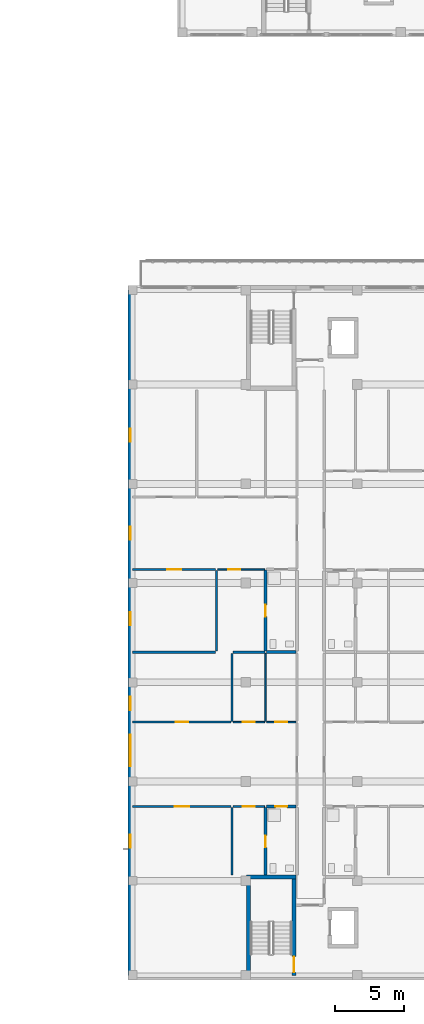
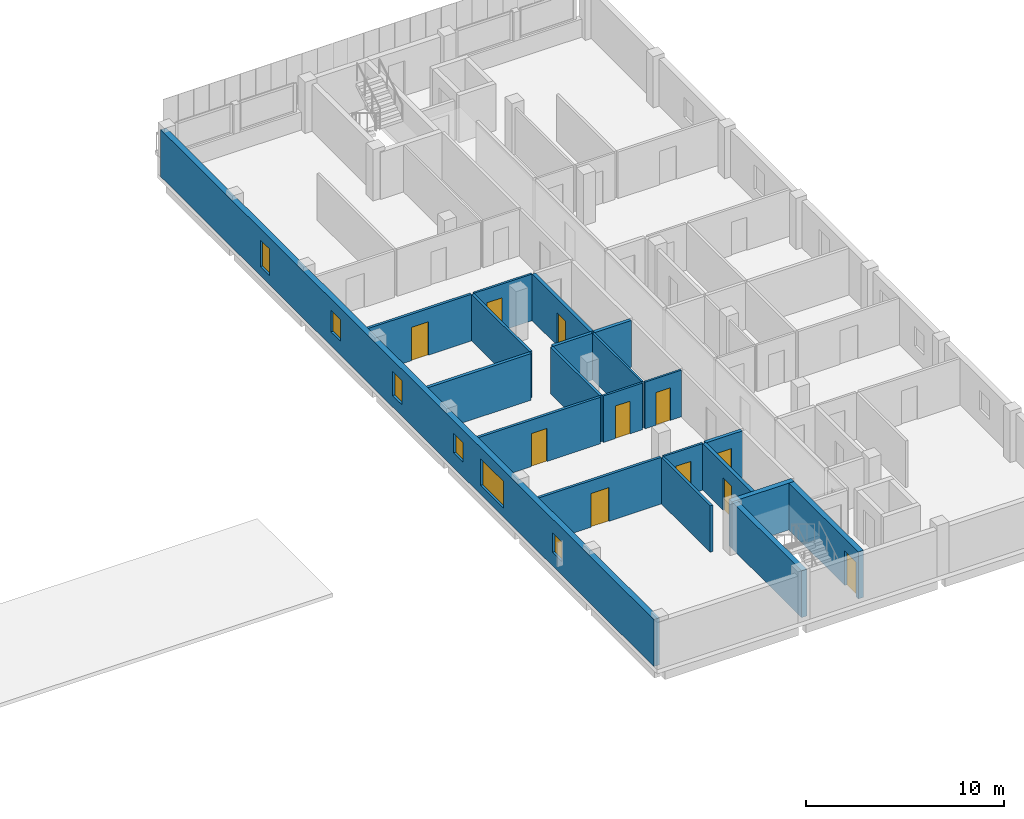
# One storey, part 30 of 51: 21 walls, 11 doors, 6 windows, 17 openings.
"""IFC4 building model written with IfcOpenShell, lengths in metres."""

from ifc_helpers import new_model, si_unit, derived_unit, direction, frame, frame_2d, origin, place, context, subcontext, project, spatial, rectangle, extrude, material, layer, layer_set, type_object, element, fill, save


model = new_model("IFC4")

# Units and contexts
model_context = context("Model", 3, precision=1e-05, world=origin(), true_north=direction((0.0, 1.0)))
body_context = subcontext(model_context, "Body", "Model", "MODEL_VIEW")
ifc_project = project(units=[si_unit("LENGTHUNIT", "METRE"), si_unit("AREAUNIT", "SQUARE_METRE"), si_unit("VOLUMEUNIT", "CUBIC_METRE"), si_unit("PLANEANGLEUNIT", "RADIAN"), si_unit("MASSUNIT", "GRAM", prefix="KILO"), derived_unit("THERMALTRANSMITTANCEUNIT", [(si_unit("MASSUNIT", "GRAM", prefix="KILO"), 1), (si_unit("TIMEUNIT", "SECOND"), -3), (si_unit("THERMODYNAMICTEMPERATUREUNIT", "KELVIN"), -1)])], contexts=[model_context])

# Site, building, storey
site_placement = place(None, origin())
site = spatial("IfcSite", under=ifc_project, at=site_placement, CompositionType="ELEMENT")
building_placement = place(site_placement, origin())
building = spatial("IfcBuilding", under=site, at=building_placement, Name="Ochrekiln Boulevard Commons", CompositionType="ELEMENT")
storey_placement = place(building_placement, frame((0.0, 0.0, 15.22509765625)))
storey = spatial("IfcBuildingStorey", under=building, at=storey_placement, Name="L04", CompositionType="ELEMENT", Elevation=15.22509765625)

# Wall, openings, windows
ifc_material_1 = material(Name="Desert ochre clinker brick masonry ASTM C216 Grade SW", Category="masonry")
ifc_layer_1 = layer(ifc_material_1, 0.330078125)
ifc_layer_set_1 = layer_set([ifc_layer_1], Name="Desert ochre clinker brick masonry ASTM C216 Grade SW")
wall_type_1 = type_object("IfcWallType", Name="WL-EXT-OCHRE-330", PredefinedType="SOLIDWALL", material=ifc_layer_set_1)
wall_1_placement = place(storey_placement, frame((147.764892578125, 0.330078125, 0.0), z_axis=(0.0, 0.0, 1.0), x_axis=(0.0, 1.0, 0.0)))
wall_1 = element("IfcWall", 1, at=wall_1_placement, inside=storey, type_object=wall_type_1, Name="Block C L04 W Exterior Wall", PredefinedType="SOLIDWALL", context=body_context, shape_type="SweptSolid", body=[
    extrude(rectangle(XDim=49.739990234375, YDim=0.330078125, at=frame_2d((24.8701171875, 0.0))), origin(), (0.0, 0.0, 1.0), 2.889892578125),
])
opening_1_placement = place(wall_1_placement, frame((15.169921875, 0.0, 0.554931640625)))
opening_1 = element("IfcOpeningElement", 2, at=opening_1_placement, cuts=wall_1, Name="Opening W-59", PredefinedType="OPENING", context=body_context, shape_type="SweptSolid", body=[
    extrude(rectangle(XDim=2.300048828125, YDim=1.64990234375, at=frame_2d((1.14990234375, 0.824951171875))), frame((0.0, 0.175048828125, 0.0), z_axis=(0.0, -1.0, 0.0), x_axis=(1.0, 0.0, 0.0)), (0.0, 0.0, 1.0), 0.35009765625),
])
opening_2_placement = place(wall_1_placement, frame((9.2509765625, 0.0, 0.85009765625)))
opening_2 = element("IfcOpeningElement", 3, at=opening_2_placement, cuts=wall_1, Name="Opening W-01", PredefinedType="OPENING", context=body_context, shape_type="SweptSolid", body=[
    extrude(rectangle(XDim=0.949951171875, YDim=1.199951171875, at=frame_2d((0.47509765625, 0.60009765625))), frame((0.0, 0.175048828125, 0.0), z_axis=(0.0, -1.0, 0.0), x_axis=(1.0, 0.0, 0.0)), (0.0, 0.0, 1.0), 0.35009765625),
])
opening_3_placement = place(wall_1_placement, frame((19.2548828125, 0.0, 0.89990234375)))
opening_3 = element("IfcOpeningElement", 4, at=opening_3_placement, cuts=wall_1, Name="Opening W-01", PredefinedType="OPENING", context=body_context, shape_type="SweptSolid", body=[
    extrude(rectangle(XDim=0.949951171875, YDim=1.199951171875, at=frame_2d((0.47509765625, 0.60009765625))), frame((0.0, 0.175048828125, 0.0), z_axis=(0.0, -1.0, 0.0), x_axis=(1.0, 0.0, 0.0)), (0.0, 0.0, 1.0), 0.35009765625),
])
opening_4_placement = place(wall_1_placement, frame((31.615966796875, 0.0, 0.85498046875)))
opening_4 = element("IfcOpeningElement", 5, at=opening_4_placement, cuts=wall_1, Name="Opening W-02", PredefinedType="OPENING", context=body_context, shape_type="SweptSolid", body=[
    extrude(rectangle(XDim=0.949951171875, YDim=1.35009765625, at=frame_2d((0.47509765625, 0.675048828125))), frame((0.0, 0.175048828125, 0.0), z_axis=(0.0, -1.0, 0.0), x_axis=(1.0, 0.0, 0.0)), (0.0, 0.0, 1.0), 0.35009765625),
])
opening_5_placement = place(wall_1_placement, frame((25.40087890625, 0.0, 0.705078125)))
opening_5 = element("IfcOpeningElement", 6, at=opening_5_placement, cuts=wall_1, Name="Opening W-03", PredefinedType="OPENING", context=body_context, shape_type="SweptSolid", body=[
    extrude(rectangle(XDim=0.949951171875, YDim=1.5, at=frame_2d((0.47509765625, 0.75))), frame((0.0, 0.175048828125, 0.0), z_axis=(0.0, -1.0, 0.0), x_axis=(1.0, 0.0, 0.0)), (0.0, 0.0, 1.0), 0.35009765625),
])
opening_6_placement = place(wall_1_placement, frame((38.72998046875, 0.0, 0.554931640625)))
opening_6 = element("IfcOpeningElement", 7, at=opening_6_placement, cuts=wall_1, Name="Opening W-04", PredefinedType="OPENING", context=body_context, shape_type="SweptSolid", body=[
    extrude(rectangle(XDim=0.949951171875, YDim=1.64990234375, at=frame_2d((0.47509765625, 0.824951171875))), frame((0.0, 0.175048828125, 0.0), z_axis=(0.0, -1.0, 0.0), x_axis=(1.0, 0.0, 0.0)), (0.0, 0.0, 1.0), 0.35009765625),
])
ifc_material_2 = material(Name="Thermally broken aluminium-clad oak frame", Category="aluminium")
window_type_1 = type_object("IfcWindowType", Name="WIN-EXT-01", PartitioningType="SINGLE_PANEL", PredefinedType="WINDOW", material=ifc_material_2)
window_1_placement = place(opening_2_placement, origin())
window_1 = element("IfcWindow", 8, at=window_1_placement, inside=storey, type_object=window_type_1, Name="Block C L04 Punched Masonry Window W-01", OverallHeight=1.199951171875, OverallWidth=0.949951171875, PartitioningType="SINGLE_PANEL", PredefinedType="WINDOW", context=body_context, shape_type="SweptSolid", body=[
    extrude(rectangle(XDim=0.949951171875, YDim=1.199951171875, at=frame_2d((0.47509765625, 0.60009765625))), frame((0.0, 0.030029296875, 0.0), z_axis=(0.0, -1.0, 0.0), x_axis=(1.0, 0.0, 0.0)), (0.0, 0.0, 1.0), 0.06005859375),
])
fill(opening_2, window_1)
window_2_placement = place(opening_3_placement, origin())
window_2 = element("IfcWindow", 9, at=window_2_placement, inside=storey, type_object=window_type_1, Name="Block C L04 Punched Masonry Window W-01", OverallHeight=1.199951171875, OverallWidth=0.949951171875, PartitioningType="SINGLE_PANEL", PredefinedType="WINDOW", context=body_context, shape_type="SweptSolid", body=[
    extrude(rectangle(XDim=0.949951171875, YDim=1.199951171875, at=frame_2d((0.47509765625, 0.60009765625))), frame((0.0, 0.030029296875, 0.0), z_axis=(0.0, -1.0, 0.0), x_axis=(1.0, 0.0, 0.0)), (0.0, 0.0, 1.0), 0.06005859375),
])
fill(opening_3, window_2)
window_type_2 = type_object("IfcWindowType", Name="WIN-EXT-02", PartitioningType="SINGLE_PANEL", PredefinedType="WINDOW", material=ifc_material_2)
window_3_placement = place(opening_4_placement, origin())
window_3 = element("IfcWindow", 10, at=window_3_placement, inside=storey, type_object=window_type_2, Name="Block C L04 Punched Masonry Window W-02", OverallHeight=1.35009765625, OverallWidth=0.949951171875, PartitioningType="SINGLE_PANEL", PredefinedType="WINDOW", context=body_context, shape_type="SweptSolid", body=[
    extrude(rectangle(XDim=0.949951171875, YDim=1.35009765625, at=frame_2d((0.47509765625, 0.675048828125))), frame((0.0, 0.030029296875, 0.0), z_axis=(0.0, -1.0, 0.0), x_axis=(1.0, 0.0, 0.0)), (0.0, 0.0, 1.0), 0.06005859375),
])
fill(opening_4, window_3)
window_type_3 = type_object("IfcWindowType", Name="WIN-EXT-03", PartitioningType="SINGLE_PANEL", PredefinedType="WINDOW", material=ifc_material_2)
window_4_placement = place(opening_5_placement, origin())
window_4 = element("IfcWindow", 11, at=window_4_placement, inside=storey, type_object=window_type_3, Name="Block C L04 Punched Masonry Window W-03", OverallHeight=1.5, OverallWidth=0.949951171875, PartitioningType="SINGLE_PANEL", PredefinedType="WINDOW", context=body_context, shape_type="SweptSolid", body=[
    extrude(rectangle(XDim=0.949951171875, YDim=1.5, at=frame_2d((0.47509765625, 0.75))), frame((0.0, 0.030029296875, 0.0), z_axis=(0.0, -1.0, 0.0), x_axis=(1.0, 0.0, 0.0)), (0.0, 0.0, 1.0), 0.06005859375),
])
fill(opening_5, window_4)
window_type_4 = type_object("IfcWindowType", Name="WIN-EXT-04", PartitioningType="SINGLE_PANEL", PredefinedType="WINDOW", material=ifc_material_2)
window_5_placement = place(opening_6_placement, origin())
window_5 = element("IfcWindow", 12, at=window_5_placement, inside=storey, type_object=window_type_4, Name="Block C L04 Punched Masonry Window W-04", OverallHeight=1.64990234375, OverallWidth=0.949951171875, PartitioningType="SINGLE_PANEL", PredefinedType="WINDOW", context=body_context, shape_type="SweptSolid", body=[
    extrude(rectangle(XDim=0.949951171875, YDim=1.64990234375, at=frame_2d((0.47509765625, 0.824951171875))), frame((0.0, 0.030029296875, 0.0), z_axis=(0.0, -1.0, 0.0), x_axis=(1.0, 0.0, 0.0)), (0.0, 0.0, 1.0), 0.06005859375),
])
fill(opening_6, window_5)
window_type_5 = type_object("IfcWindowType", Name="WIN-EXT-59", PartitioningType="DOUBLE_PANEL_VERTICAL", PredefinedType="WINDOW", material=ifc_material_2)
window_6_placement = place(opening_1_placement, origin())
window_6 = element("IfcWindow", 13, at=window_6_placement, inside=storey, type_object=window_type_5, Name="Block C L04 Punched Masonry Window W-59", OverallHeight=1.64990234375, OverallWidth=2.300048828125, PartitioningType="DOUBLE_PANEL_VERTICAL", PredefinedType="WINDOW", context=body_context, shape_type="SweptSolid", body=[
    extrude(rectangle(XDim=2.300048828125, YDim=1.64990234375, at=frame_2d((1.14990234375, 0.824951171875))), frame((0.0, 0.030029296875, 0.0), z_axis=(0.0, -1.0, 0.0), x_axis=(1.0, 0.0, 0.0)), (0.0, 0.0, 1.0), 0.06005859375),
])
fill(opening_1, window_6)

# Wall, opening, door
ifc_material_3 = material(Name="Moisture-resistant cementitious tile backer wall")
ifc_layer_2 = layer(ifc_material_3, 0.199951171875)
ifc_layer_set_2 = layer_set([ifc_layer_2], Name="Moisture-resistant cementitious tile backer wall")
wall_type_2 = type_object("IfcWallType", Name="WL-PLM-200", PredefinedType="PLUMBINGWALL", material=ifc_layer_set_2)
wall_2_placement = place(storey_placement, frame((157.669921875, 12.592041015625, 0.0), z_axis=(0.0, 0.0, 1.0), x_axis=(1.0, 0.0, 0.0)))
wall_2 = element("IfcWall", 14, at=wall_2_placement, inside=storey, type_object=wall_type_2, Name="L04 Interior Wall W-PW200", PredefinedType="PLUMBINGWALL", context=body_context, shape_type="SweptSolid", body=[
    extrude(rectangle(XDim=2.108154296875, YDim=0.199951171875, at=frame_2d((1.05419921875, 0.0))), origin(), (0.0, 0.0, 1.0), 2.869873046875),
])
opening_7_placement = place(wall_2_placement, frame((0.6201171875, 0.0, 0.0)))
opening_7 = element("IfcOpeningElement", 15, at=opening_7_placement, cuts=wall_2, Name="Opening D-L04-620", PredefinedType="OPENING", context=body_context, shape_type="SweptSolid", body=[
    extrude(rectangle(XDim=0.860107421875, YDim=2.0, at=frame_2d((0.43017578125, 1.0))), frame((0.0, 0.10986328125, 0.0), z_axis=(0.0, -1.0, 0.0), x_axis=(1.0, 0.0, 0.0)), (0.0, 0.0, 1.0), 0.219970703125),
])
ifc_material_4 = material(Name="Solid core architectural oak door leaf")
door_type_1 = type_object("IfcDoorType", Name="DR-INT-BTH-086", OperationType="NOTDEFINED", PredefinedType="DOOR", material=ifc_material_4)
door_1_placement = place(opening_7_placement, frame((0.860107421875, 0.0, 0.0), z_axis=(0.0, 0.0, 1.0), x_axis=(-1.0, 0.0, 0.0)))
door_1 = element("IfcDoor", 16, at=door_1_placement, inside=storey, type_object=door_type_1, Name="L04 Interior Door to Accessible Apartment Bathroom", OperationType="SINGLE_SWING_RIGHT", OverallHeight=2.0, OverallWidth=0.860107421875, PredefinedType="DOOR", context=body_context, shape_type="SweptSolid", body=[
    extrude(rectangle(XDim=0.860107421875, YDim=2.0, at=frame_2d((0.43017578125, 1.0))), frame((0.0, 0.02490234375, 0.0), z_axis=(0.0, -1.0, 0.0), x_axis=(1.0, 0.0, 0.0)), (0.0, 0.0, 1.0), 0.050048828125),
])
fill(opening_7, door_1)

wall_3_placement = place(storey_placement, frame((157.590087890625, 7.60009765625, 0.0), z_axis=(0.0, 0.0, 1.0), x_axis=(0.0, 1.0, 0.0)))
wall_3 = element("IfcWall", 17, at=wall_3_placement, inside=storey, type_object=wall_type_2, Name="L04 Interior Wall W-PW200", PredefinedType="PLUMBINGWALL", context=body_context, shape_type="SweptSolid", body=[
    extrude(rectangle(XDim=4.931884765625, YDim=0.199951171875, at=frame_2d((2.4658203125, 0.0))), origin(), (0.0, 0.0, 1.0), 2.869873046875),
])
opening_8_placement = place(wall_3_placement, frame((2.031005859375, 0.0, 0.0)))
opening_8 = element("IfcOpeningElement", 18, at=opening_8_placement, cuts=wall_3, Name="Opening D-L04-626", PredefinedType="OPENING", context=body_context, shape_type="SweptSolid", body=[
    extrude(rectangle(XDim=0.85009765625, YDim=2.010009765625, at=frame_2d((0.425048828125, 1.0048828125))), frame((0.0, 0.10986328125, 0.0), z_axis=(0.0, -1.0, 0.0), x_axis=(1.0, 0.0, 0.0)), (0.0, 0.0, 1.0), 0.219970703125),
])
door_type_2 = type_object("IfcDoorType", Name="DR-INT-KIT-085", OperationType="NOTDEFINED", PredefinedType="DOOR", material=ifc_material_4)
door_2_placement = place(opening_8_placement, frame((0.85009765625, 0.0, 0.0), z_axis=(0.0, 0.0, 1.0), x_axis=(-1.0, 0.0, 0.0)))
door_2 = element("IfcDoor", 19, at=door_2_placement, inside=storey, type_object=door_type_2, Name="L04 Interior Door to Accessible Apartment Bathroom", OperationType="SINGLE_SWING_RIGHT", OverallHeight=2.010009765625, OverallWidth=0.85009765625, PredefinedType="DOOR", context=body_context, shape_type="SweptSolid", body=[
    extrude(rectangle(XDim=0.85009765625, YDim=2.010009765625, at=frame_2d((0.425048828125, 1.0048828125))), frame((0.0, 0.02490234375, 0.0), z_axis=(0.0, -1.0, 0.0), x_axis=(1.0, 0.0, 0.0)), (0.0, 0.0, 1.0), 0.050048828125),
])
fill(opening_8, door_2)

# Wall
wall_4_placement = place(storey_placement, frame((157.64990234375, 23.7919921875, 0.0), z_axis=(0.0, 0.0, 1.0), x_axis=(1.0, 0.0, 0.0)))
element("IfcWall", 20, at=wall_4_placement, inside=storey, type_object=wall_type_2, Name="L04 Interior Wall W-PW200", PredefinedType="PLUMBINGWALL", context=body_context, shape_type="SweptSolid", body=[
    extrude(rectangle(XDim=2.128173828125, YDim=0.199951171875, at=frame_2d((1.06396484375, 0.0))), origin(), (0.0, 0.0, 1.0), 2.869873046875),
])

# Wall, opening, door
wall_5_placement = place(storey_placement, frame((157.590087890625, 23.882080078125, 0.0), z_axis=(0.0, 0.0, 1.0), x_axis=(0.0, 1.0, 0.0)))
wall_5 = element("IfcWall", 21, at=wall_5_placement, inside=storey, type_object=wall_type_2, Name="L04 Interior Wall W-PW200", PredefinedType="PLUMBINGWALL", context=body_context, shape_type="SweptSolid", body=[
    extrude(rectangle(XDim=5.849853515625, YDim=0.199951171875, at=frame_2d((2.9248046875, 0.0))), origin(), (0.0, 0.0, 1.0), 2.869873046875),
])
opening_9_placement = place(wall_5_placement, frame((2.489990234375, 0.0, 0.0)))
opening_9 = element("IfcOpeningElement", 22, at=opening_9_placement, cuts=wall_5, Name="Opening D-L04-633", PredefinedType="OPENING", context=body_context, shape_type="SweptSolid", body=[
    extrude(rectangle(XDim=0.85009765625, YDim=2.010009765625, at=frame_2d((0.425048828125, 1.0048828125))), frame((0.0, 0.10986328125, 0.0), z_axis=(0.0, -1.0, 0.0), x_axis=(1.0, 0.0, 0.0)), (0.0, 0.0, 1.0), 0.219970703125),
])
door_3_placement = place(opening_9_placement, frame((0.85009765625, 0.0, 0.0), z_axis=(0.0, 0.0, 1.0), x_axis=(-1.0, 0.0, 0.0)))
door_3 = element("IfcDoor", 23, at=door_3_placement, inside=storey, type_object=door_type_2, Name="L04 Interior Door to Apartment Bathroom", OperationType="SINGLE_SWING_LEFT", OverallHeight=2.010009765625, OverallWidth=0.85009765625, PredefinedType="DOOR", context=body_context, shape_type="SweptSolid", body=[
    extrude(rectangle(XDim=0.85009765625, YDim=2.010009765625, at=frame_2d((0.425048828125, 1.0048828125))), frame((0.0, 0.02490234375, 0.0), z_axis=(0.0, -1.0, 0.0), x_axis=(1.0, 0.0, 0.0)), (0.0, 0.0, 1.0), 0.050048828125),
])
fill(opening_9, door_3)

# Walls
ifc_material_5 = material(Name="Fire-rated Type X gypsum board on steel studs", Category="steel")
ifc_layer_3 = layer(ifc_material_5, 0.179931640625)
ifc_layer_set_3 = layer_set([ifc_layer_3], Name="Fire-rated Type X gypsum board on steel studs")
wall_type_3 = type_object("IfcWallType", Name="WL-PT-DEM-180", PredefinedType="PARTITIONING", material=ifc_layer_set_3)
wall_6_placement = place(storey_placement, frame((147.929931640625, 23.7919921875, 0.0), z_axis=(0.0, 0.0, 1.0), x_axis=(1.0, 0.0, 0.0)))
element("IfcWall", 24, at=wall_6_placement, inside=storey, type_object=wall_type_3, Name="L04 Interior Wall W-PD180", PredefinedType="PARTITIONING", context=body_context, shape_type="SweptSolid", body=[
    extrude(rectangle(XDim=6.02294921875, YDim=0.179931640625, at=frame_2d((3.011474609375, 0.0))), origin(), (0.0, 0.0, 1.0), 2.869873046875),
])
wall_7_placement = place(storey_placement, frame((155.22998046875, 23.7919921875, 0.0), z_axis=(0.0, 0.0, 1.0), x_axis=(1.0, 0.0, 0.0)))
element("IfcWall", 25, at=wall_7_placement, inside=storey, type_object=wall_type_3, Name="L04 Interior Wall W-PD180", PredefinedType="PARTITIONING", context=body_context, shape_type="SweptSolid", body=[
    extrude(rectangle(XDim=2.300048828125, YDim=0.179931640625, at=frame_2d((1.14990234375, 0.0))), origin(), (0.0, 0.0, 1.0), 2.869873046875),
])

# Wall, opening, door
ifc_layer_4 = layer(ifc_material_5, 0.1201171875)
ifc_layer_set_4 = layer_set([ifc_layer_4], Name="Fire-rated Type X gypsum board on steel studs")
wall_type_4 = type_object("IfcWallType", Name="WL-PT-LGT-120", PredefinedType="PARTITIONING", material=ifc_layer_set_4)
wall_8_placement = place(storey_placement, frame((157.669921875, 18.7099609375, 0.0), z_axis=(0.0, 0.0, 1.0), x_axis=(1.0, 0.0, 0.0)))
wall_8 = element("IfcWall", 26, at=wall_8_placement, inside=storey, type_object=wall_type_4, Name="L04 Interior Wall W-PL120", PredefinedType="PARTITIONING", context=body_context, shape_type="SweptSolid", body=[
    extrude(rectangle(XDim=2.108154296875, YDim=0.1201171875, at=frame_2d((1.05419921875, 0.0))), origin(), (0.0, 0.0, 1.0), 2.869873046875),
])
opening_10_placement = place(wall_8_placement, frame((0.625, 0.0, 0.0)))
opening_10 = element("IfcOpeningElement", 27, at=opening_10_placement, cuts=wall_8, Name="Opening D-L04-621", PredefinedType="OPENING", context=body_context, shape_type="SweptSolid", body=[
    extrude(rectangle(XDim=0.85009765625, YDim=2.010009765625, at=frame_2d((0.425048828125, 1.0048828125))), frame((0.0, 0.070068359375, 0.0), z_axis=(0.0, -1.0, 0.0), x_axis=(1.0, 0.0, 0.0)), (0.0, 0.0, 1.0), 0.14013671875),
])
door_4_placement = place(opening_10_placement, origin())
door_4 = element("IfcDoor", 28, at=door_4_placement, inside=storey, type_object=door_type_2, Name="L04 Interior Door to Apartment Kitchen", OperationType="SINGLE_SWING_LEFT", OverallHeight=2.010009765625, OverallWidth=0.85009765625, PredefinedType="DOOR", context=body_context, shape_type="SweptSolid", body=[
    extrude(rectangle(XDim=0.85009765625, YDim=2.010009765625, at=frame_2d((0.425048828125, 1.0048828125))), frame((0.0, 0.02490234375, 0.0), z_axis=(0.0, -1.0, 0.0), x_axis=(1.0, 0.0, 0.0)), (0.0, 0.0, 1.0), 0.050048828125),
])
fill(opening_10, door_4)

wall_9_placement = place(storey_placement, frame((155.235107421875, 12.592041015625, 0.0), z_axis=(0.0, 0.0, 1.0), x_axis=(1.0, 0.0, 0.0)))
wall_9 = element("IfcWall", 29, at=wall_9_placement, inside=storey, type_object=wall_type_4, Name="L04 Interior Wall W-PL120", PredefinedType="PARTITIONING", context=body_context, shape_type="SweptSolid", body=[
    extrude(rectangle(XDim=2.27490234375, YDim=0.1201171875, at=frame_2d((1.137451171875, 0.0))), origin(), (0.0, 0.0, 1.0), 2.869873046875),
])
opening_11_placement = place(wall_9_placement, frame((0.7119140625, 0.0, 0.0)))
opening_11 = element("IfcOpeningElement", 30, at=opening_11_placement, cuts=wall_9, Name="Opening D-L04-623", PredefinedType="OPENING", context=body_context, shape_type="SweptSolid", body=[
    extrude(rectangle(XDim=0.85009765625, YDim=2.010009765625, at=frame_2d((0.425048828125, 1.0048828125))), frame((0.0, 0.070068359375, 0.0), z_axis=(0.0, -1.0, 0.0), x_axis=(1.0, 0.0, 0.0)), (0.0, 0.0, 1.0), 0.14013671875),
])
door_5_placement = place(opening_11_placement, frame((0.85009765625, 0.0, 0.0), z_axis=(0.0, 0.0, 1.0), x_axis=(-1.0, 0.0, 0.0)))
door_5 = element("IfcDoor", 31, at=door_5_placement, inside=storey, type_object=door_type_2, Name="L04 Interior Door to Apartment Walk-In Wardrobe", OperationType="SINGLE_SWING_LEFT", OverallHeight=2.010009765625, OverallWidth=0.85009765625, PredefinedType="DOOR", context=body_context, shape_type="SweptSolid", body=[
    extrude(rectangle(XDim=0.85009765625, YDim=2.010009765625, at=frame_2d((0.425048828125, 1.0048828125))), frame((0.0, 0.02490234375, 0.0), z_axis=(0.0, -1.0, 0.0), x_axis=(1.0, 0.0, 0.0)), (0.0, 0.0, 1.0), 0.050048828125),
])
fill(opening_11, door_5)

wall_10_placement = place(storey_placement, frame((155.235107421875, 18.7099609375, 0.0), z_axis=(0.0, 0.0, 1.0), x_axis=(1.0, 0.0, 0.0)))
wall_10 = element("IfcWall", 32, at=wall_10_placement, inside=storey, type_object=wall_type_4, Name="L04 Interior Wall W-PL120", PredefinedType="PARTITIONING", context=body_context, shape_type="SweptSolid", body=[
    extrude(rectangle(XDim=2.27490234375, YDim=0.1201171875, at=frame_2d((1.137451171875, 0.0))), origin(), (0.0, 0.0, 1.0), 2.869873046875),
])
opening_12_placement = place(wall_10_placement, frame((0.7119140625, 0.0, 0.0)))
opening_12 = element("IfcOpeningElement", 33, at=opening_12_placement, cuts=wall_10, Name="Opening D-L04-625", PredefinedType="OPENING", context=body_context, shape_type="SweptSolid", body=[
    extrude(rectangle(XDim=0.85009765625, YDim=2.010009765625, at=frame_2d((0.425048828125, 1.0048828125))), frame((0.0, 0.070068359375, 0.0), z_axis=(0.0, -1.0, 0.0), x_axis=(1.0, 0.0, 0.0)), (0.0, 0.0, 1.0), 0.14013671875),
])
door_6_placement = place(opening_12_placement, origin())
door_6 = element("IfcDoor", 34, at=door_6_placement, inside=storey, type_object=door_type_2, Name="L04 Interior Door to Apartment Walk-In Wardrobe", OperationType="SINGLE_SWING_LEFT", OverallHeight=2.010009765625, OverallWidth=0.85009765625, PredefinedType="DOOR", context=body_context, shape_type="SweptSolid", body=[
    extrude(rectangle(XDim=0.85009765625, YDim=2.010009765625, at=frame_2d((0.425048828125, 1.0048828125))), frame((0.0, 0.02490234375, 0.0), z_axis=(0.0, -1.0, 0.0), x_axis=(1.0, 0.0, 0.0)), (0.0, 0.0, 1.0), 0.050048828125),
])
fill(opening_12, door_6)

# Wall
wall_11_placement = place(storey_placement, frame((157.590087890625, 18.77001953125, 0.0), z_axis=(0.0, 0.0, 1.0), x_axis=(0.0, 1.0, 0.0)))
element("IfcWall", 35, at=wall_11_placement, inside=storey, type_object=wall_type_4, Name="L04 Interior Wall W-PL120", PredefinedType="PARTITIONING", context=body_context, shape_type="SweptSolid", body=[
    extrude(rectangle(XDim=4.931884765625, YDim=0.1201171875, at=frame_2d((2.4658203125, 0.0))), origin(), (0.0, 0.0, 1.0), 2.869873046875),
])

# Wall, opening, door
wall_12_placement = place(storey_placement, frame((154.113037109375, 29.7919921875, 0.0), z_axis=(0.0, 0.0, 1.0), x_axis=(1.0, 0.0, 0.0)))
wall_12 = element("IfcWall", 36, at=wall_12_placement, inside=storey, type_object=wall_type_4, Name="L04 Interior Wall W-PL120", PredefinedType="PARTITIONING", context=body_context, shape_type="SweptSolid", body=[
    extrude(rectangle(XDim=3.39697265625, YDim=0.1201171875, at=frame_2d((1.698486328125, 0.0))), origin(), (0.0, 0.0, 1.0), 2.869873046875),
])
opening_13_placement = place(wall_12_placement, frame((0.758056640625, 0.0, 0.0)))
opening_13 = element("IfcOpeningElement", 37, at=opening_13_placement, cuts=wall_12, Name="Opening D-L04-630", PredefinedType="OPENING", context=body_context, shape_type="SweptSolid", body=[
    extrude(rectangle(XDim=0.8798828125, YDim=2.02001953125, at=frame_2d((0.43994140625, 1.010009765625))), frame((0.0, 0.070068359375, 0.0), z_axis=(0.0, -1.0, 0.0), x_axis=(1.0, 0.0, 0.0)), (0.0, 0.0, 1.0), 0.14013671875),
])
door_type_3 = type_object("IfcDoorType", Name="DR-INT-KIT-088", OperationType="NOTDEFINED", PredefinedType="DOOR", material=ifc_material_4)
door_7_placement = place(opening_13_placement, frame((0.8798828125, 0.0, 0.0), z_axis=(0.0, 0.0, 1.0), x_axis=(-1.0, 0.0, 0.0)))
door_7 = element("IfcDoor", 38, at=door_7_placement, inside=storey, type_object=door_type_3, Name="L04 Interior Door to Apartment Walk-In Wardrobe", OperationType="SINGLE_SWING_RIGHT", OverallHeight=2.02001953125, OverallWidth=0.8798828125, PredefinedType="DOOR", context=body_context, shape_type="SweptSolid", body=[
    extrude(rectangle(XDim=0.8798828125, YDim=2.02001953125, at=frame_2d((0.43994140625, 1.010009765625))), frame((0.0, 0.02490234375, 0.0), z_axis=(0.0, -1.0, 0.0), x_axis=(1.0, 0.0, 0.0)), (0.0, 0.0, 1.0), 0.050048828125),
])
fill(opening_13, door_7)

ifc_layer_5 = layer(ifc_material_5, 0.14990234375)
ifc_layer_set_5 = layer_set([ifc_layer_5], Name="Fire-rated Type X gypsum board on steel studs")
wall_type_5 = type_object("IfcWallType", Name="WL-PT-STD-150", PredefinedType="PARTITIONING", material=ifc_layer_set_5)
wall_13_placement = place(storey_placement, frame((147.929931640625, 12.592041015625, 0.0), z_axis=(0.0, 0.0, 1.0), x_axis=(1.0, 0.0, 0.0)))
wall_13 = element("IfcWall", 39, at=wall_13_placement, inside=storey, type_object=wall_type_5, Name="L04 Interior Wall W-PS150", PredefinedType="PARTITIONING", context=body_context, shape_type="SweptSolid", body=[
    extrude(rectangle(XDim=7.14501953125, YDim=0.14990234375, at=frame_2d((3.572509765625, 0.0))), origin(), (0.0, 0.0, 1.0), 2.869873046875),
])
opening_14_placement = place(wall_13_placement, frame((3.06201171875, 0.0, 0.0)))
opening_14 = element("IfcOpeningElement", 40, at=opening_14_placement, cuts=wall_13, Name="Opening D-L04-622", PredefinedType="OPENING", context=body_context, shape_type="SweptSolid", body=[
    extrude(rectangle(XDim=1.0400390625, YDim=2.080078125, at=frame_2d((0.52001953125, 1.0400390625))), frame((0.0, 0.0849609375, 0.0), z_axis=(0.0, -1.0, 0.0), x_axis=(1.0, 0.0, 0.0)), (0.0, 0.0, 1.0), 0.169921875),
])
door_type_4 = type_object("IfcDoorType", Name="DR-INT-BED-104", OperationType="NOTDEFINED", PredefinedType="DOOR", material=ifc_material_4)
door_8_placement = place(opening_14_placement, frame((1.0400390625, 0.0, 0.0), z_axis=(0.0, 0.0, 1.0), x_axis=(-1.0, 0.0, 0.0)))
door_8 = element("IfcDoor", 41, at=door_8_placement, inside=storey, type_object=door_type_4, Name="L04 Interior Door to Primary Apartment Bedroom", OperationType="SINGLE_SWING_RIGHT", OverallHeight=2.080078125, OverallWidth=1.0400390625, PredefinedType="DOOR", context=body_context, shape_type="SweptSolid", body=[
    extrude(rectangle(XDim=1.0400390625, YDim=2.080078125, at=frame_2d((0.52001953125, 1.0400390625))), frame((0.0, 0.02490234375, 0.0), z_axis=(0.0, -1.0, 0.0), x_axis=(1.0, 0.0, 0.0)), (0.0, 0.0, 1.0), 0.050048828125),
])
fill(opening_14, door_8)

wall_14_placement = place(storey_placement, frame((147.929931640625, 18.7099609375, 0.0), z_axis=(0.0, 0.0, 1.0), x_axis=(1.0, 0.0, 0.0)))
wall_14 = element("IfcWall", 42, at=wall_14_placement, inside=storey, type_object=wall_type_5, Name="L04 Interior Wall W-PS150", PredefinedType="PARTITIONING", context=body_context, shape_type="SweptSolid", body=[
    extrude(rectangle(XDim=7.14501953125, YDim=0.14990234375, at=frame_2d((3.572509765625, 0.0))), origin(), (0.0, 0.0, 1.0), 2.869873046875),
])
opening_15_placement = place(wall_14_placement, frame((3.132080078125, 0.0, 0.0)))
opening_15 = element("IfcOpeningElement", 43, at=opening_15_placement, cuts=wall_14, Name="Opening D-L04-624", PredefinedType="OPENING", context=body_context, shape_type="SweptSolid", body=[
    extrude(rectangle(XDim=0.89990234375, YDim=2.0400390625, at=frame_2d((0.449951171875, 1.02001953125))), frame((0.0, 0.0849609375, 0.0), z_axis=(0.0, -1.0, 0.0), x_axis=(1.0, 0.0, 0.0)), (0.0, 0.0, 1.0), 0.169921875),
])
door_type_5 = type_object("IfcDoorType", Name="DR-INT-BED-090", OperationType="NOTDEFINED", PredefinedType="DOOR", material=ifc_material_4)
door_9_placement = place(opening_15_placement, origin())
door_9 = element("IfcDoor", 44, at=door_9_placement, inside=storey, type_object=door_type_5, Name="L04 Interior Door to Secondary Apartment Bedroom", OperationType="SINGLE_SWING_RIGHT", OverallHeight=2.0400390625, OverallWidth=0.89990234375, PredefinedType="DOOR", context=body_context, shape_type="SweptSolid", body=[
    extrude(rectangle(XDim=0.89990234375, YDim=2.0400390625, at=frame_2d((0.449951171875, 1.02001953125))), frame((0.0, 0.02490234375, 0.0), z_axis=(0.0, -1.0, 0.0), x_axis=(1.0, 0.0, 0.0)), (0.0, 0.0, 1.0), 0.050048828125),
])
fill(opening_15, door_9)

# Walls
wall_15_placement = place(storey_placement, frame((155.155029296875, 7.60009765625, 0.0), z_axis=(0.0, 0.0, 1.0), x_axis=(0.0, 1.0, 0.0)))
element("IfcWall", 45, at=wall_15_placement, inside=storey, type_object=wall_type_5, Name="L04 Interior Wall W-PS150", PredefinedType="PARTITIONING", context=body_context, shape_type="SweptSolid", body=[
    extrude(rectangle(XDim=4.9169921875, YDim=0.14990234375, at=frame_2d((2.45849609375, 0.0))), origin(), (0.0, 0.0, 1.0), 2.869873046875),
])
wall_16_placement = place(storey_placement, frame((155.155029296875, 18.77001953125, 0.0), z_axis=(0.0, 0.0, 1.0), x_axis=(0.0, 1.0, 0.0)))
element("IfcWall", 46, at=wall_16_placement, inside=storey, type_object=wall_type_5, Name="L04 Interior Wall W-PS150", PredefinedType="PARTITIONING", context=body_context, shape_type="SweptSolid", body=[
    extrude(rectangle(XDim=4.931884765625, YDim=0.14990234375, at=frame_2d((2.4658203125, 0.0))), origin(), (0.0, 0.0, 1.0), 2.869873046875),
])

# Wall, opening, door
wall_17_placement = place(storey_placement, frame((147.929931640625, 29.7919921875, 0.0), z_axis=(0.0, 0.0, 1.0), x_axis=(1.0, 0.0, 0.0)))
wall_17 = element("IfcWall", 47, at=wall_17_placement, inside=storey, type_object=wall_type_5, Name="L04 Interior Wall W-PS150", PredefinedType="PARTITIONING", context=body_context, shape_type="SweptSolid", body=[
    extrude(rectangle(XDim=6.02294921875, YDim=0.14990234375, at=frame_2d((3.011474609375, 0.0))), origin(), (0.0, 0.0, 1.0), 2.869873046875),
])
opening_16_placement = place(wall_17_placement, frame((2.52197265625, 0.0, 0.0)))
opening_16 = element("IfcOpeningElement", 48, at=opening_16_placement, cuts=wall_17, Name="Opening D-L04-629", PredefinedType="OPENING", context=body_context, shape_type="SweptSolid", body=[
    extrude(rectangle(XDim=1.0, YDim=2.06005859375, at=frame_2d((0.5, 1.030029296875))), frame((0.0, 0.0849609375, 0.0), z_axis=(0.0, -1.0, 0.0), x_axis=(1.0, 0.0, 0.0)), (0.0, 0.0, 1.0), 0.169921875),
])
door_type_6 = type_object("IfcDoorType", Name="DR-INT-BED-100", OperationType="NOTDEFINED", PredefinedType="DOOR", material=ifc_material_4)
door_10_placement = place(opening_16_placement, frame((1.0, 0.0, 0.0), z_axis=(0.0, 0.0, 1.0), x_axis=(-1.0, 0.0, 0.0)))
door_10 = element("IfcDoor", 49, at=door_10_placement, inside=storey, type_object=door_type_6, Name="L04 Interior Door to Primary Apartment Bedroom", OperationType="SINGLE_SWING_LEFT", OverallHeight=2.06005859375, OverallWidth=1.0, PredefinedType="DOOR", context=body_context, shape_type="SweptSolid", body=[
    extrude(rectangle(XDim=1.0, YDim=2.06005859375, at=frame_2d((0.5, 1.030029296875))), frame((0.0, 0.02490234375, 0.0), z_axis=(0.0, -1.0, 0.0), x_axis=(1.0, 0.0, 0.0)), (0.0, 0.0, 1.0), 0.050048828125),
])
fill(opening_16, door_10)

# Walls
wall_18_placement = place(storey_placement, frame((154.032958984375, 23.882080078125, 0.0), z_axis=(0.0, 0.0, 1.0), x_axis=(0.0, 1.0, 0.0)))
element("IfcWall", 50, at=wall_18_placement, inside=storey, type_object=wall_type_5, Name="L04 Interior Wall W-PS150", PredefinedType="PARTITIONING", context=body_context, shape_type="SweptSolid", body=[
    extrude(rectangle(XDim=5.8349609375, YDim=0.14990234375, at=frame_2d((2.91748046875, 0.0))), origin(), (0.0, 0.0, 1.0), 2.869873046875),
])
ifc_material_6 = material(Name="Concrete C40/50", Category="concrete")
ifc_layer_6 = layer(ifc_material_6, 0.300048828125)
ifc_layer_set_6 = layer_set([ifc_layer_6], Name="Concrete C40/50")
wall_type_6 = type_object("IfcWallType", Name="WL-SH-300", PredefinedType="SHEAR", material=ifc_layer_set_6)
wall_19_placement = place(storey_placement, frame((156.199951171875, 7.469970703125, 0.0), z_axis=(0.0, 0.0, 1.0), x_axis=(1.0, 0.0, 0.0)))
element("IfcWall", 51, at=wall_19_placement, inside=storey, type_object=wall_type_6, Name="Stair ST-C1 L04 Core Shear Wall N", PredefinedType="SHEAR", context=body_context, shape_type="SweptSolid", body=[
    extrude(rectangle(XDim=3.60009765625, YDim=0.300048828125, at=frame_2d((1.800048828125, 0.0))), origin(), (0.0, 0.0, 1.0), 2.889892578125),
])
wall_20_placement = place(storey_placement, frame((156.35009765625, 0.320068359375, 0.0), z_axis=(0.0, 0.0, 1.0), x_axis=(0.0, 1.0, 0.0)))
element("IfcWall", 52, at=wall_20_placement, inside=storey, type_object=wall_type_6, Name="Stair ST-C1 L04 Core Shear Wall W", PredefinedType="SHEAR", context=body_context, shape_type="SweptSolid", body=[
    extrude(rectangle(XDim=7.0, YDim=0.300048828125, at=frame_2d((3.5, 0.0))), origin(), (0.0, 0.0, 1.0), 2.889892578125),
])

# Wall, opening, door
wall_21_placement = place(storey_placement, frame((159.64990234375, 0.320068359375, 0.0), z_axis=(0.0, 0.0, 1.0), x_axis=(0.0, 1.0, 0.0)))
wall_21 = element("IfcWall", 53, at=wall_21_placement, inside=storey, type_object=wall_type_6, Name="Stair ST-C1 L04 Core Shear Wall E", PredefinedType="SHEAR", context=body_context, shape_type="SweptSolid", body=[
    extrude(rectangle(XDim=7.0, YDim=0.300048828125, at=frame_2d((3.5, 0.0))), origin(), (0.0, 0.0, 1.0), 2.889892578125),
])
opening_17_placement = place(wall_21_placement, frame((0.22509765625, 0.0, 0.0)))
opening_17 = element("IfcOpeningElement", 54, at=opening_17_placement, cuts=wall_21, Name="Opening D-L04-ST-C1", PredefinedType="OPENING", context=body_context, shape_type="SweptSolid", body=[
    extrude(rectangle(XDim=1.14990234375, YDim=2.1201171875, at=frame_2d((0.574951171875, 1.06005859375))), frame((0.0, 0.159912109375, 0.0), z_axis=(0.0, -1.0, 0.0), x_axis=(1.0, 0.0, 0.0)), (0.0, 0.0, 1.0), 0.320068359375),
])
ifc_material_7 = material(Name="Hollow metal fire-rated steel door assembly", Category="steel")
door_type_7 = type_object("IfcDoorType", Name="DR-STAIR-90", OperationType="NOTDEFINED", PredefinedType="DOOR", material=ifc_material_7)
door_11_placement = place(opening_17_placement, origin())
door_11 = element("IfcDoor", 55, at=door_11_placement, inside=storey, type_object=door_type_7, Name="Enclosed Exit Stair ST-C1 L04 Rated Door", OperationType="SINGLE_SWING_RIGHT", OverallHeight=2.1201171875, OverallWidth=1.14990234375, PredefinedType="DOOR", context=body_context, shape_type="SweptSolid", body=[
    extrude(rectangle(XDim=1.14990234375, YDim=2.1201171875, at=frame_2d((0.574951171875, 1.06005859375))), frame((0.0, 0.02490234375, 0.0), z_axis=(0.0, -1.0, 0.0), x_axis=(1.0, 0.0, 0.0)), (0.0, 0.0, 1.0), 0.050048828125),
])
fill(opening_17, door_11)

save(model, "model.ifc")
